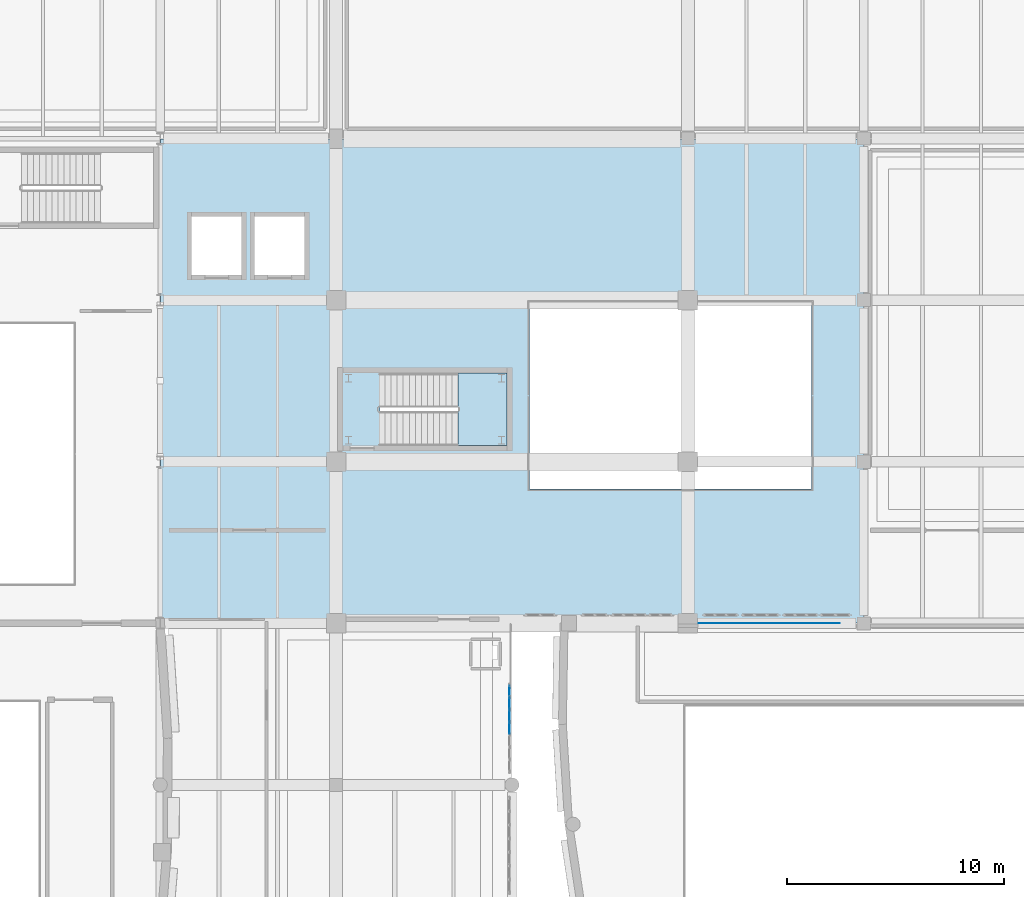
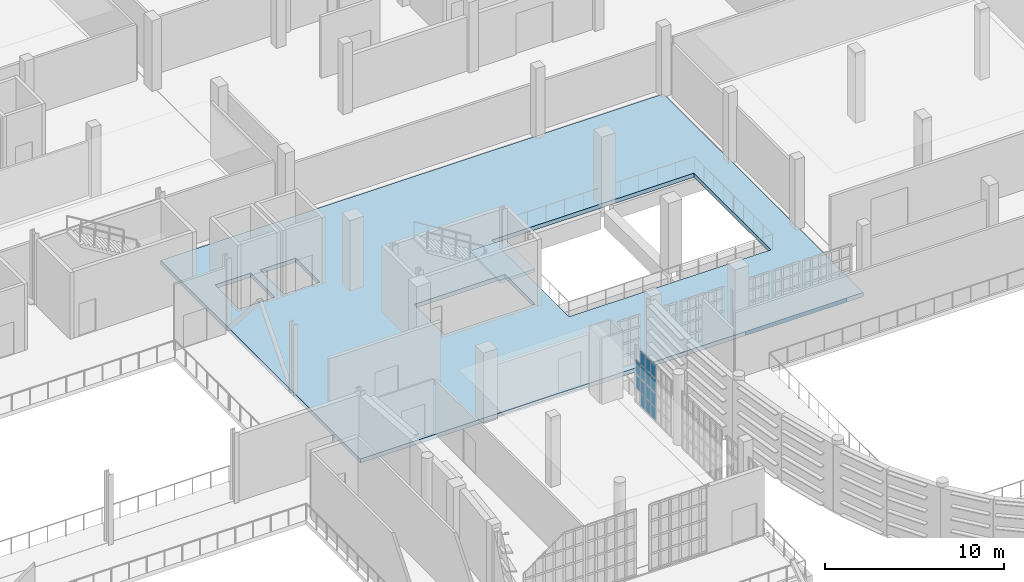
# One storey, part 77 of 104: 14 plates, 3 slabs, 2 elements without a shape of their own.
"""IFC4 building model written with IfcOpenShell, lengths in metres."""

import ifcopenshell
import ifcopenshell.guid

model = None  # the IFC model being written
_history = None  # IfcOwnerHistory: only IFC2X3 demands one
_inside = {}  # id of a spatial element -> (the spatial element, [elements in it])
_under = {}  # id of a project, library or spatial element -> (it, [spatial elements below it])
_declared = {}  # id of a project -> (the project, [libraries it declares])
_typed = {}  # id of a type object -> (the type object, [elements of that type])
_made_of = {}  # id of a material, layer set ... -> (it, [elements and type objects made of it])


def new_model(schema):
    """Start an empty IFC model of exactly this schema.

    Asked for "IFC4X3", IfcOpenShell would pick the latest addendum, in which some entities
    have other attributes; the version numbers below select the first issue.
    IFC2X3 requires an IfcOwnerHistory on every rooted entity: one is made here for all.
    """
    global model, _history
    if schema == "IFC4X3":
        model = ifcopenshell.file(schema_version=(4, 3, 0, 0))
    else:
        model = ifcopenshell.file(schema=schema)
    _inside.clear()
    _under.clear()
    _declared.clear()
    _typed.clear()
    _made_of.clear()
    _history = None
    if model.schema == "IFC2X3":
        org = make("IfcOrganization", Name="unknown")
        user = make(
            "IfcPersonAndOrganization",
            ThePerson=make("IfcPerson", FamilyName="unknown"),
            TheOrganization=org,
        )
        app = make(
            "IfcApplication",
            ApplicationDeveloper=org,
            Version="unknown",
            ApplicationFullName="unknown",
            ApplicationIdentifier="unknown",
        )
        _history = make(
            "IfcOwnerHistory",
            OwningUser=user,
            OwningApplication=app,
            ChangeAction="ADDED",
            CreationDate=0,
        )
    return model


def make(cls, **values):
    """One entity of the class cls with the attributes given. An attribute that is None is left unset."""
    return model.create_entity(
        cls, **{name: value for name, value in values.items() if value is not None}
    )


def rooted(cls, **values):
    """An entity with a GlobalId (a new one), such as an element, a storey or a relation."""
    return make(cls, GlobalId=ifcopenshell.guid.new(), OwnerHistory=_history, **values)


def si_unit(unit_type, name, prefix=None):
    """IfcSIUnit, for example si_unit("LENGTHUNIT", "METRE", prefix="MILLI")."""
    return make("IfcSIUnit", UnitType=unit_type, Prefix=prefix, Name=name)


def assignment(units):
    """IfcUnitAssignment: the units of a project."""
    return None if units is None else make("IfcUnitAssignment", Units=units)


def point(xyz):
    """IfcCartesianPoint."""
    return None if xyz is None else make("IfcCartesianPoint", Coordinates=xyz)


def direction(xyz):
    """IfcDirection."""
    return None if xyz is None else make("IfcDirection", DirectionRatios=xyz)


def frame(location, z_axis=None, x_axis=None):
    """IfcAxis2Placement3D, a coordinate frame: its origin and axes. An axis left out is left unset."""
    return make(
        "IfcAxis2Placement3D",
        Location=point(location),
        Axis=direction(z_axis),
        RefDirection=direction(x_axis),
    )


def frame_2d(location, x_axis=None):
    """IfcAxis2Placement2D, a coordinate frame in the plane: its origin and x axis."""
    return make(
        "IfcAxis2Placement2D", Location=point(location), RefDirection=direction(x_axis)
    )


def origin():
    """The frame at (0, 0, 0) with its axes left unset."""
    return frame((0.0, 0.0, 0.0))


def origin_2d():
    """The frame at (0, 0) in the plane with its x axis left unset."""
    return frame_2d((0.0, 0.0))


def place(relative_to, where):
    """IfcLocalPlacement: puts the frame where relative to a parent placement (None: the world)."""
    return make(
        "IfcLocalPlacement", PlacementRelTo=relative_to, RelativePlacement=where
    )


def context(
    kind, dimensions, precision=None, world=None, true_north=None, identifier=None
):
    """IfcGeometricRepresentationContext, for example the 3D "Model" context."""
    return make(
        "IfcGeometricRepresentationContext",
        ContextIdentifier=identifier,
        ContextType=kind,
        CoordinateSpaceDimension=dimensions,
        Precision=precision,
        WorldCoordinateSystem=world,
        TrueNorth=true_north,
    )


def subcontext(parent, identifier, kind, view, scale=None):
    """IfcGeometricRepresentationSubContext, for example "Body" below "Model"."""
    return make(
        "IfcGeometricRepresentationSubContext",
        ContextIdentifier=identifier,
        ContextType=kind,
        ParentContext=parent,
        TargetScale=scale,
        TargetView=view,
    )


def project(units=None, contexts=None):
    """IfcProject with its units and contexts."""
    return rooted(
        "IfcProject",
        Name="project",
        RepresentationContexts=contexts,
        UnitsInContext=assignment(units),
    )


def spatial(cls, under=None, at=None, **own):
    """A site, building, storey or space (cls), placed at a placement, below another one or the project."""
    s = rooted(cls, ObjectPlacement=at, **own)
    if under is not None:
        _under.setdefault(under.id(), (under, []))[1].append(s)
    return s


def polyline(points):
    """IfcPolyline through the points."""
    return make("IfcPolyline", Points=[point(p) for p in points])


def profile(cls, at=None, kind="AREA", **sizes):
    """A parametric profile (cls). Its sizes go by their IFC names, for example OverallWidth=200.0."""
    return make(cls, ProfileType=kind, Position=at, **sizes)


def rectangle(**sizes):
    """IfcRectangleProfileDef."""
    return profile("IfcRectangleProfileDef", **sizes)


def outline(outer, holes=None, kind="AREA"):
    """IfcArbitraryClosedProfileDef: a profile drawn as a closed curve; with holes, ...WithVoids."""
    if holes is None:
        return make("IfcArbitraryClosedProfileDef", ProfileType=kind, OuterCurve=outer)
    return make(
        "IfcArbitraryProfileDefWithVoids",
        ProfileType=kind,
        OuterCurve=outer,
        InnerCurves=holes,
    )


def extrude(swept, where, along, depth):
    """IfcExtrudedAreaSolid: the profile swept, set in the frame where, extruded along a direction by depth."""
    return make(
        "IfcExtrudedAreaSolid",
        SweptArea=swept,
        Position=where,
        ExtrudedDirection=direction(along),
        Depth=depth,
    )


def shape(context_of_items, identifier, shape_type, items):
    """IfcShapeRepresentation: the items that make up one representation, for example the "Body"."""
    return make(
        "IfcShapeRepresentation",
        ContextOfItems=context_of_items,
        RepresentationIdentifier=identifier,
        RepresentationType=shape_type,
        Items=items,
    )


def material(Name=None, Category=None):
    """IfcMaterial."""
    return make("IfcMaterial", Name=Name, Category=Category)


def layer(
    of_material, thickness, ventilated=None, Name=None, Category=None, Priority=None
):
    """IfcMaterialLayer: one layer of a wall or slab, of a material (None: an air gap)."""
    return make(
        "IfcMaterialLayer",
        Material=of_material,
        LayerThickness=thickness,
        IsVentilated=ventilated,
        Name=Name,
        Category=Category,
        Priority=Priority,
    )


def layer_set(layers, Name=None):
    """IfcMaterialLayerSet."""
    return make("IfcMaterialLayerSet", MaterialLayers=layers, LayerSetName=Name)


def made_of(thing, what):
    """Note that an element or type object is made of a material, layer set ...; save() writes the relation."""
    if what is not None:
        _made_of.setdefault(what.id(), (what, []))[1].append(thing)
    return thing


def type_object(cls, material=None, **own):
    """A type object (cls), such as IfcWallType, which elements share."""
    return made_of(rooted(cls, **own), material)


def element(
    cls,
    number,
    at=None,
    inside=None,
    cuts=None,
    type_object=None,
    material=None,
    context=None,
    identifier="Body",
    shape_type=None,
    held_by="IfcProductDefinitionShape",
    body=None,
    shapes=None,
    **own,
):
    """One element of the class cls, such as IfcWall. Its Tag is "e" and its number.

    at: its placement. inside: the storey or other place that contains it. cuts: it is an
    opening in that element (IfcRelVoidsElement). A single representation is given by context,
    identifier, shape_type and body (its items); several are given by shapes. held_by: the class
    of the entity that holds the representations. save() writes the other relations.
    """
    e = rooted(cls, Tag="e%d" % number, ObjectPlacement=at, **own)
    if body is not None:
        shapes = [shape(context, identifier, shape_type, body)]
    if shapes is not None:
        e.Representation = make(held_by, Representations=shapes)
    if inside is not None:
        _inside.setdefault(inside.id(), (inside, []))[1].append(e)
    if cuts is not None:
        rooted(
            "IfcRelVoidsElement", RelatingBuildingElement=cuts, RelatedOpeningElement=e
        )
    if type_object is not None:
        _typed.setdefault(type_object.id(), (type_object, []))[1].append(e)
    return made_of(e, material)


def aggregate(whole, parts):
    """IfcRelAggregates: a whole, such as a stair, and the parts it consists of."""
    return rooted("IfcRelAggregates", RelatingObject=whole, RelatedObjects=parts)


def save(model, path):
    """Write the relations noted so far, then the file.

    IfcRelAggregates (storeys below a building ...), IfcRelContainedInSpatialStructure (elements
    in a storey), IfcRelDefinesByType, IfcRelAssociatesMaterial and IfcRelDeclares: one each for
    every whole, place, type object, material and project.
    """
    for whole, parts in _under.values():
        aggregate(whole, parts)
    for where, things in _inside.values():
        rooted(
            "IfcRelContainedInSpatialStructure",
            RelatedElements=things,
            RelatingStructure=where,
        )
    for kind, things in _typed.values():
        rooted("IfcRelDefinesByType", RelatedObjects=things, RelatingType=kind)
    for what, things in _made_of.values():
        rooted("IfcRelAssociatesMaterial", RelatedObjects=things, RelatingMaterial=what)
    for by, libraries in _declared.values():
        rooted("IfcRelDeclares", RelatingContext=by, RelatedDefinitions=libraries)
    model.write(path)


model = new_model("IFC4")

# Units and contexts
model_context = context("Model", 3, precision=1e-05, world=origin(), true_north=direction((0.0, 1.0)))
body_context = subcontext(model_context, "Body", "Model", "MODEL_VIEW")
ifc_project = project(units=[si_unit("LENGTHUNIT", "METRE"), si_unit("AREAUNIT", "SQUARE_METRE"), si_unit("VOLUMEUNIT", "CUBIC_METRE"), si_unit("PLANEANGLEUNIT", "RADIAN"), si_unit("MASSUNIT", "GRAM", prefix="KILO")], contexts=[model_context])

# Site, building, storey
site_placement = place(None, origin())
site = spatial("IfcSite", under=ifc_project, at=site_placement, CompositionType="ELEMENT")
building_placement = place(site_placement, origin())
building = spatial("IfcBuilding", under=site, at=building_placement, Name="Kaelora Sail Theatre", CompositionType="ELEMENT")
storey_placement = place(building_placement, frame((0.0, 0.0, 5.39990234375)))
storey = spatial("IfcBuildingStorey", under=building, at=storey_placement, Name="L01", CompositionType="ELEMENT", Elevation=5.39990234375)

# Curtain wall, plates
ifc_material_1 = material(Name="Anodised aluminium and solar-control low-E IGU", Category="aluminium")
curtain_wall_type = type_object("IfcCurtainWallType", Name="ARC-CW-CW-FOY2", PredefinedType="NOTDEFINED", material=ifc_material_1)
curtain_wall_placement = place(storey_placement, origin())
curtain_wall = element("IfcCurtainWall", 1, at=curtain_wall_placement, inside=storey, type_object=curtain_wall_type, Name="West Interstitial Foyer East Glazed Return L01-03", PredefinedType="NOTDEFINED")
ifc_material_2 = material(Name="Solar-control laminated low-E glass", Category="glass")
ifc_layer_1 = layer(ifc_material_2, 0.031982421875)
ifc_layer_set_1 = layer_set([ifc_layer_1], Name="Solar-control laminated low-E glass")
plate_type = type_object("IfcPlateType", Name="ARC-CW-PNL", PredefinedType="CURTAIN_PANEL", material=ifc_layer_set_1)
plate_1_placement = place(storey_placement, frame((74.280029296875, 56.1826171875, 0.070068359375), z_axis=(0.0, 0.0, 1.0), x_axis=(0.0, 1.0, 0.0)))
plate_1 = element("IfcPlate", 2, at=plate_1_placement, type_object=plate_type, Name="CW-FOY2 panel 4.1", PredefinedType="CURTAIN_PANEL", context=body_context, shape_type="SweptSolid", body=[
    extrude(rectangle(XDim=0.516357421875, YDim=0.031982421875, at=origin_2d()), origin(), (0.0, 0.0, 1.0), 0.86669921875),
])
plate_2_placement = place(storey_placement, frame((74.280029296875, 56.1826171875, 1.0068359375), z_axis=(0.0, 0.0, 1.0), x_axis=(0.0, 1.0, 0.0)))
plate_2 = element("IfcPlate", 3, at=plate_2_placement, type_object=plate_type, Name="CW-FOY2 panel 4.2", PredefinedType="CURTAIN_PANEL", context=body_context, shape_type="SweptSolid", body=[
    extrude(rectangle(XDim=0.516357421875, YDim=0.031982421875, at=origin_2d()), origin(), (0.0, 0.0, 1.0), 0.901611328125),
])
plate_3_placement = place(storey_placement, frame((74.280029296875, 56.1826171875, 1.978515625), z_axis=(0.0, 0.0, 1.0), x_axis=(0.0, 1.0, 0.0)))
plate_3 = element("IfcPlate", 4, at=plate_3_placement, type_object=plate_type, Name="CW-FOY2 panel 4.3", PredefinedType="CURTAIN_PANEL", context=body_context, shape_type="SweptSolid", body=[
    extrude(rectangle(XDim=0.516357421875, YDim=0.031982421875, at=origin_2d()), origin(), (0.0, 0.0, 1.0), 0.90185546875),
])
plate_4_placement = place(storey_placement, frame((74.280029296875, 56.1826171875, 2.950439453125), z_axis=(0.0, 0.0, 1.0), x_axis=(0.0, 1.0, 0.0)))
plate_4 = element("IfcPlate", 5, at=plate_4_placement, type_object=plate_type, Name="CW-FOY2 panel 4.4", PredefinedType="CURTAIN_PANEL", context=body_context, shape_type="SweptSolid", body=[
    extrude(rectangle(XDim=0.516357421875, YDim=0.031982421875, at=origin_2d()), origin(), (0.0, 0.0, 1.0), 0.86669921875),
])
plate_5_placement = place(storey_placement, frame((74.280029296875, 56.759033203125, 0.070068359375), z_axis=(0.0, 0.0, 1.0), x_axis=(0.0, 1.0, 0.0)))
plate_5 = element("IfcPlate", 6, at=plate_5_placement, type_object=plate_type, Name="CW-FOY2 panel 5.1", PredefinedType="CURTAIN_PANEL", context=body_context, shape_type="SweptSolid", body=[
    extrude(rectangle(XDim=0.516357421875, YDim=0.031982421875, at=origin_2d()), origin(), (0.0, 0.0, 1.0), 0.86669921875),
])
plate_6_placement = place(storey_placement, frame((74.280029296875, 56.759033203125, 1.0068359375), z_axis=(0.0, 0.0, 1.0), x_axis=(0.0, 1.0, 0.0)))
plate_6 = element("IfcPlate", 7, at=plate_6_placement, type_object=plate_type, Name="CW-FOY2 panel 5.2", PredefinedType="CURTAIN_PANEL", context=body_context, shape_type="SweptSolid", body=[
    extrude(rectangle(XDim=0.516357421875, YDim=0.031982421875, at=origin_2d()), origin(), (0.0, 0.0, 1.0), 0.901611328125),
])
plate_7_placement = place(storey_placement, frame((74.280029296875, 56.759033203125, 1.978515625), z_axis=(0.0, 0.0, 1.0), x_axis=(0.0, 1.0, 0.0)))
plate_7 = element("IfcPlate", 8, at=plate_7_placement, type_object=plate_type, Name="CW-FOY2 panel 5.3", PredefinedType="CURTAIN_PANEL", context=body_context, shape_type="SweptSolid", body=[
    extrude(rectangle(XDim=0.516357421875, YDim=0.031982421875, at=origin_2d()), origin(), (0.0, 0.0, 1.0), 0.90185546875),
])
plate_8_placement = place(storey_placement, frame((74.280029296875, 56.759033203125, 2.950439453125), z_axis=(0.0, 0.0, 1.0), x_axis=(0.0, 1.0, 0.0)))
plate_8 = element("IfcPlate", 9, at=plate_8_placement, type_object=plate_type, Name="CW-FOY2 panel 5.4", PredefinedType="CURTAIN_PANEL", context=body_context, shape_type="SweptSolid", body=[
    extrude(rectangle(XDim=0.516357421875, YDim=0.031982421875, at=origin_2d()), origin(), (0.0, 0.0, 1.0), 0.86669921875),
])
plate_9_placement = place(storey_placement, frame((74.280029296875, 57.33544921875, 0.070068359375), z_axis=(0.0, 0.0, 1.0), x_axis=(0.0, 1.0, 0.0)))
plate_9 = element("IfcPlate", 10, at=plate_9_placement, type_object=plate_type, Name="CW-FOY2 panel 6.1", PredefinedType="CURTAIN_PANEL", context=body_context, shape_type="SweptSolid", body=[
    extrude(rectangle(XDim=0.516357421875, YDim=0.031982421875, at=origin_2d()), origin(), (0.0, 0.0, 1.0), 0.86669921875),
])
plate_10_placement = place(storey_placement, frame((74.280029296875, 57.33544921875, 1.0068359375), z_axis=(0.0, 0.0, 1.0), x_axis=(0.0, 1.0, 0.0)))
plate_10 = element("IfcPlate", 11, at=plate_10_placement, type_object=plate_type, Name="CW-FOY2 panel 6.2", PredefinedType="CURTAIN_PANEL", context=body_context, shape_type="SweptSolid", body=[
    extrude(rectangle(XDim=0.516357421875, YDim=0.031982421875, at=origin_2d()), origin(), (0.0, 0.0, 1.0), 0.901611328125),
])
plate_11_placement = place(storey_placement, frame((74.280029296875, 57.33544921875, 1.978515625), z_axis=(0.0, 0.0, 1.0), x_axis=(0.0, 1.0, 0.0)))
plate_11 = element("IfcPlate", 12, at=plate_11_placement, type_object=plate_type, Name="CW-FOY2 panel 6.3", PredefinedType="CURTAIN_PANEL", context=body_context, shape_type="SweptSolid", body=[
    extrude(rectangle(XDim=0.516357421875, YDim=0.031982421875, at=origin_2d()), origin(), (0.0, 0.0, 1.0), 0.90185546875),
])
plate_12_placement = place(storey_placement, frame((74.280029296875, 57.33544921875, 2.950439453125), z_axis=(0.0, 0.0, 1.0), x_axis=(0.0, 1.0, 0.0)))
plate_12 = element("IfcPlate", 13, at=plate_12_placement, type_object=plate_type, Name="CW-FOY2 panel 6.4", PredefinedType="CURTAIN_PANEL", context=body_context, shape_type="SweptSolid", body=[
    extrude(rectangle(XDim=0.516357421875, YDim=0.031982421875, at=origin_2d()), origin(), (0.0, 0.0, 1.0), 0.86669921875),
])
plate_13_placement = place(storey_placement, frame((74.280029296875, 57.896728515625, 1.0068359375), z_axis=(0.0, 0.0, 1.0), x_axis=(0.0, 1.0, 0.0)))
plate_13 = element("IfcPlate", 14, at=plate_13_placement, type_object=plate_type, Name="CW-FOY2 panel 7.2", PredefinedType="CURTAIN_PANEL", context=body_context, shape_type="SweptSolid", body=[
    extrude(rectangle(XDim=0.486328125, YDim=0.031982421875, at=origin_2d()), origin(), (0.0, 0.0, 1.0), 0.901611328125),
])
plate_14_placement = place(storey_placement, frame((74.280029296875, 57.896728515625, 1.978515625), z_axis=(0.0, 0.0, 1.0), x_axis=(0.0, 1.0, 0.0)))
plate_14 = element("IfcPlate", 15, at=plate_14_placement, type_object=plate_type, Name="CW-FOY2 panel 7.3", PredefinedType="CURTAIN_PANEL", context=body_context, shape_type="SweptSolid", body=[
    extrude(rectangle(XDim=0.486328125, YDim=0.031982421875, at=origin_2d()), origin(), (0.0, 0.0, 1.0), 0.90185546875),
])
aggregate(curtain_wall, [plate_1, plate_2, plate_3, plate_4, plate_5, plate_6, plate_7, plate_8, plate_9, plate_10, plate_11, plate_12, plate_13, plate_14])

# Stair, slab
ifc_material_3 = material(Name="Precast concrete C45/55", Category="concrete")
stair_type = type_object("IfcStairType", Name="ARC-ST-FOY165", PredefinedType="HALF_TURN_STAIR", material=ifc_material_3)
stair_placement = place(storey_placement, origin())
stair = element("IfcStair", 16, at=stair_placement, inside=storey, type_object=stair_type, Name="L01 ST-F1", PredefinedType="HALF_TURN_STAIR")
ifc_material_4 = material(Name="Precast concrete C45/55", Category="concrete")
ifc_layer_2 = layer(ifc_material_4, 0.239990234375)
ifc_layer_set_2 = layer_set([ifc_layer_2], Name="Precast concrete C45/55")
slab_type_1 = type_object("IfcSlabType", Name="ARC-SLB-LND240", PredefinedType="LANDING", material=ifc_layer_set_2)
slab_1_placement = place(storey_placement, frame((0.0, 0.0, 2.2001953125)))
slab_1 = element("IfcSlab", 17, at=slab_1_placement, type_object=slab_type_1, Name="ST-F1 landing 1", PredefinedType="LANDING", context=body_context, shape_type="SweptSolid", body=[
    extrude(outline(polyline([(71.909912109375, 69.199951171875), (74.169921875, 69.199951171875), (74.169921875, 72.550048828125), (71.909912109375, 72.550048828125), (71.909912109375, 69.199951171875)])), origin(), (0.0, 0.0, 1.0), 0.199951171875),
])
aggregate(stair, [slab_1])

# Slabs
ifc_material_5 = material(Name="Concrete C40/50", Category="concrete")
ifc_layer_3 = layer(ifc_material_5, 0.280029296875)
ifc_layer_set_3 = layer_set([ifc_layer_3], Name="Concrete C40/50")
slab_type_2 = type_object("IfcSlabType", Name="STR-SLB-SL-FL280", PredefinedType="FLOOR", material=ifc_layer_set_3)
slab_2_placement = place(storey_placement, frame((0.0, 0.0, -0.27978515625)))
element("IfcSlab", 18, at=slab_2_placement, inside=storey, type_object=slab_type_2, Name="Glazed Foyer floor slab FC1 (L01)", PredefinedType="FLOOR", context=body_context, shape_type="SweptSolid", body=[
    extrude(outline(polyline([(58.215087890625, 61.034912109375), (90.5849609375, 61.034912109375), (90.5849609375, 83.324951171875), (58.215087890625, 83.324951171875), (58.215087890625, 61.034912109375)]), holes=[polyline([(68.31494140625, 69.199951171875), (74.169921875, 69.199951171875), (74.169921875, 72.550048828125), (68.31494140625, 72.550048828125), (68.31494140625, 69.199951171875)]), polyline([(59.64990234375, 77.050048828125), (61.949951171875, 77.050048828125), (61.949951171875, 79.75), (59.64990234375, 79.75), (59.64990234375, 77.050048828125)]), polyline([(62.550048828125, 77.050048828125), (64.85009765625, 77.050048828125), (64.85009765625, 79.75), (62.550048828125, 79.75), (62.550048828125, 77.050048828125)]), polyline([(75.199951171875, 67.199951171875), (88.199951171875, 67.199951171875), (88.199951171875, 75.800048828125), (75.199951171875, 75.800048828125), (75.199951171875, 67.199951171875)])]), origin(), (0.0, 0.0, 1.0), 0.27978515625),
])
ifc_material_6 = material(Name="Concrete C40/50", Category="concrete")
ifc_layer_4 = layer(ifc_material_6, 0.2548828125)
ifc_layer_set_4 = layer_set([ifc_layer_4], Name="Concrete C40/50")
slab_type_3 = type_object("IfcSlabType", Name="STR-SLB-SL-RMP255", PredefinedType="LANDING", material=ifc_layer_set_4)
slab_3_placement = place(storey_placement, frame((0.0, 0.0, -0.2548828125)))
element("IfcSlab", 19, at=slab_3_placement, inside=storey, type_object=slab_type_3, Name="Acoustic movement-joint threshold plate JBR-L01-STUD", PredefinedType="LANDING", context=body_context, shape_type="SweptSolid", body=[
    extrude(outline(polyline([(83.0, 61.02099609375), (89.5, 61.02099609375), (89.5, 61.033935546875), (83.0, 61.033935546875), (83.0, 61.02099609375)])), origin(), (0.0, 0.0, 1.0), 0.2548828125),
])

save(model, "model.ifc")
